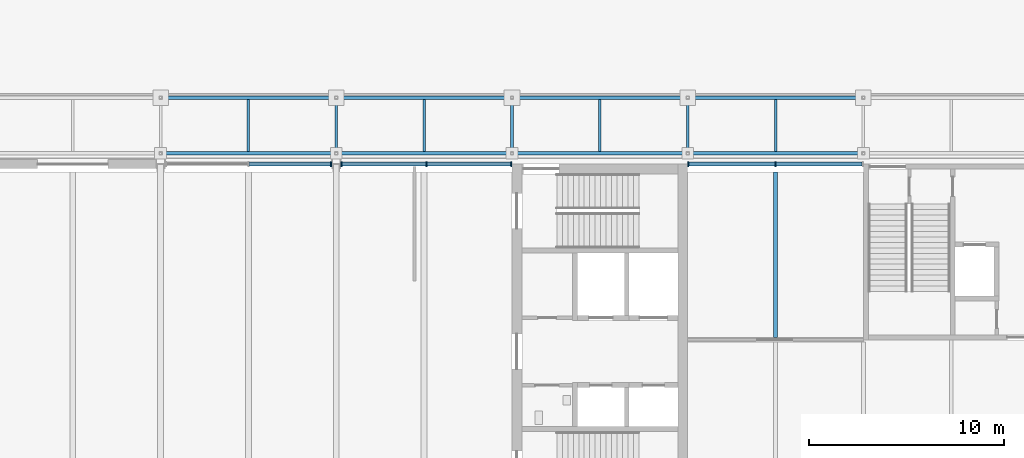
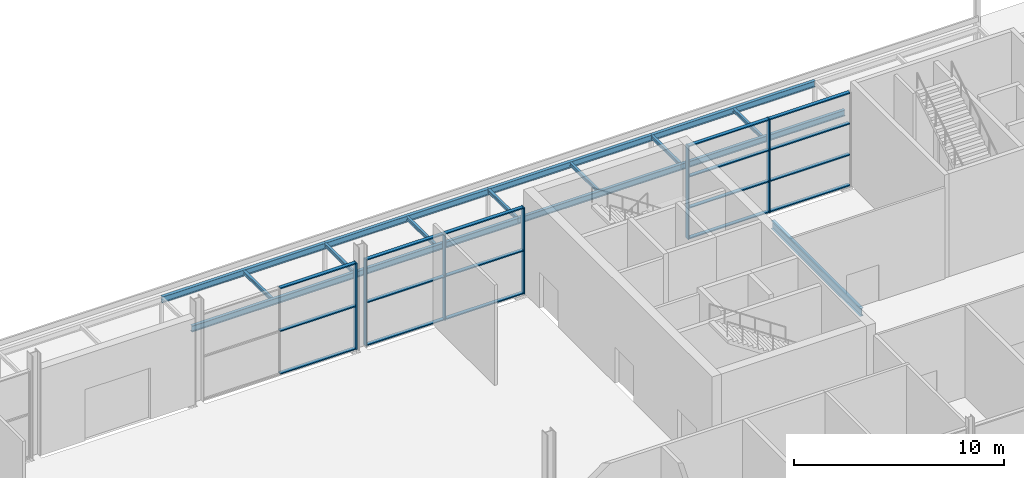
# One storey, part 43 of 97: 23 members, 16 beams, 3 elements without a shape of their own.
"""IFC4 building model written with IfcOpenShell, lengths in metres."""

from ifc_helpers import new_model, si_unit, direction, frame, origin, origin_2d, place, context, subcontext, project, spatial, rectangle, i_section, extrude, material, layer, layer_set, material_profile, profile_set, type_object, element, aggregate, save


model = new_model("IFC4")

# Units and contexts
model_context = context("Model", 3, precision=1e-05, world=origin(), true_north=direction((0.0, 1.0)))
body_context = subcontext(model_context, "Body", "Model", "MODEL_VIEW")
ifc_project = project(units=[si_unit("LENGTHUNIT", "METRE"), si_unit("AREAUNIT", "SQUARE_METRE"), si_unit("VOLUMEUNIT", "CUBIC_METRE"), si_unit("PLANEANGLEUNIT", "RADIAN"), si_unit("MASSUNIT", "GRAM", prefix="KILO")], contexts=[model_context])

# Site, building, storey
site_placement = place(None, origin())
site = spatial("IfcSite", under=ifc_project, at=site_placement, CompositionType="ELEMENT")
building_placement = place(site_placement, origin())
building = spatial("IfcBuilding", under=site, at=building_placement, Name="Corbel Yard City Hall", CompositionType="ELEMENT")
storey_placement = place(building_placement, origin())
storey = spatial("IfcBuildingStorey", under=building, at=storey_placement, Name="L00", CompositionType="ELEMENT", Elevation=0.0)

# Beams
ifc_material_1 = material(Name="Steel Grade 300 (300 MPa yield)", Category="steel")
ifc_material_profile_1 = material_profile(ifc_material_1, i_section(OverallWidth=0.133056640625, OverallDepth=0.201904296875, WebThickness=0.0048828125, FlangeThickness=0.007080078125, at=origin_2d()), Name="200UB22.3")
ifc_profile_set_1 = profile_set([ifc_material_profile_1], Name="Steel Grade 300 (300 MPa yield)")
beam_type_1 = type_object("IfcBeamType", Name="Awning Cross Beam 200UB22.3", PredefinedType="BEAM", material=ifc_profile_set_1)
for number, where, z_axis, x_axis, name in (
    (1, (31.5, 117.635498046875, 3.96484375), (0.0, 0.999922069115, -0.012484217941), (-1.0, 0.0, 0.0), "Awning Cross Beam 06"),
    (2, (36.0, 117.635498046875, 3.96484375), (0.0, 0.999922069115, -0.012484217941), (-1.0, 0.0, 0.0), "Awning Cross Beam 07"),
    (3, (40.5, 117.635498046875, 3.96484375), (0.0, 0.999922069115, -0.012484217941), (-1.0, 0.0, 0.0), "Awning Cross Beam 08"),
    (4, (45.0, 117.635498046875, 3.96484375), (0.0, 0.999922069115, -0.012484217941), (-1.0, 0.0, 0.0), "Awning Cross Beam 09"),
    (5, (49.5, 117.635498046875, 3.96484375), (0.0, 0.999922069115, -0.012484217941), (-1.0, 0.0, 0.0), "Awning Cross Beam 10"),
    (6, (54.0, 117.635498046875, 3.96484375), (0.0, 0.999922069115, -0.012484217941), (-1.0, 0.0, 0.0), "Awning Cross Beam 11"),
    (7, (58.5, 117.635498046875, 3.96484375), (0.0, 0.999922069115, -0.012484217941), (-1.0, 0.0, 0.0), "Awning Cross Beam 12"),
):
    element("IfcBeam", number, at=place(storey_placement, frame(where, z_axis=z_axis, x_axis=x_axis)), inside=storey, type_object=beam_type_1, Name=name, PredefinedType="BEAM", context=body_context, shape_type="SweptSolid", body=[
        extrude(i_section(OverallWidth=0.133056640625, OverallDepth=0.201904296875, WebThickness=0.0048828125, FlangeThickness=0.007080078125, at=origin_2d()), origin(), (0.0, 0.0, 1.0), 2.67919921875),
    ])
ifc_material_profile_2 = material_profile(ifc_material_1, i_section(OverallWidth=0.1708984375, OverallDepth=0.35205078125, WebThickness=0.0068359375, FlangeThickness=0.009765625, at=origin_2d()), Name="360UB44.7")
ifc_profile_set_2 = profile_set([ifc_material_profile_2], Name="Steel Grade 300 (300 MPa yield)")
beam_type_2 = type_object("IfcBeamType", Name="Awning Edge Beam 360UB44.7", PredefinedType="BEAM", material=ifc_profile_set_2)
for number, where, z_axis, x_axis, name in (
    (8, (27.0, 117.550048828125, 3.890869140625), (1.0, 0.0, 0.0), (0.0, 1.0, 0.0), "Awning Edge Beam B03"),
    (9, (36.0, 117.550048828125, 3.890869140625), (1.0, 0.0, 0.0), (0.0, 1.0, 0.0), "Awning Edge Beam B04"),
    (10, (45.0, 117.550048828125, 3.890869140625), (1.0, 0.0, 0.0), (0.0, 1.0, 0.0), "Awning Edge Beam B05"),
    (11, (54.0, 117.550048828125, 3.890869140625), (1.0, 0.0, 0.0), (0.0, 1.0, 0.0), "Awning Edge Beam B06"),
    (12, (27.0, 120.39990234375, 3.855224609375), (1.0, 0.0, 0.0), (0.0, 1.0, 0.0), "Awning Edge Beam F03"),
    (13, (36.0, 120.39990234375, 3.855224609375), (1.0, 0.0, 0.0), (0.0, 1.0, 0.0), "Awning Edge Beam F04"),
    (14, (45.0, 120.39990234375, 3.855224609375), (1.0, 0.0, 0.0), (0.0, 1.0, 0.0), "Awning Edge Beam F05"),
    (15, (54.0, 120.39990234375, 3.855224609375), (1.0, 0.0, 0.0), (0.0, 1.0, 0.0), "Awning Edge Beam F06"),
):
    element("IfcBeam", number, at=place(storey_placement, frame(where, z_axis=z_axis, x_axis=x_axis)), inside=storey, type_object=beam_type_2, Name=name, PredefinedType="BEAM", context=body_context, shape_type="SweptSolid", body=[
        extrude(i_section(OverallWidth=0.1708984375, OverallDepth=0.35205078125, WebThickness=0.0068359375, FlangeThickness=0.009765625, at=origin_2d()), origin(), (0.0, 0.0, 1.0), 9.0),
    ])

# Curtain wall, member
ifc_material_2 = material(Name="Aluminium extrusion", Category="aluminium")
ifc_layer = layer(ifc_material_2, 0.25)
ifc_layer_set = layer_set([ifc_layer], Name="Aluminium extrusion")
curtain_wall_type = type_object("IfcCurtainWallType", Name="CW4", PredefinedType="USERDEFINED", material=ifc_layer_set)
curtain_wall_1_placement = place(storey_placement, origin())
curtain_wall_1 = element("IfcCurtainWall", 16, at=curtain_wall_1_placement, inside=storey, type_object=curtain_wall_type, Name="Curtain wall CW4 L00", ObjectType="CURTAIN WALL", PredefinedType="USERDEFINED")
ifc_material_profile_3 = material_profile(ifc_material_2, rectangle(XDim=0.25, YDim=0.06494140625, at=origin_2d()), Name="250x65")
ifc_profile_set_3 = profile_set([ifc_material_profile_3], Name="Aluminium extrusion")
member_type_1 = type_object("IfcMemberType", Name="ML4", PredefinedType="MULLION", material=ifc_profile_set_3)
member_1_placement = place(storey_placement, frame((35.7275390625, 117.0, 0.0), z_axis=(0.0, 0.0, 1.0), x_axis=(0.0, 1.0, 0.0)))
member_1 = element("IfcMember", 17, at=member_1_placement, type_object=member_type_1, Name="CW4 mullion 3", PredefinedType="MULLION", context=body_context, shape_type="SweptSolid", body=[
    extrude(rectangle(XDim=0.25, YDim=0.06494140625, at=origin_2d()), origin(), (0.0, 0.0, 1.0), 5.0400390625),
])

# Curtain wall, members
curtain_wall_2_placement = place(storey_placement, origin())
curtain_wall_2 = element("IfcCurtainWall", 18, at=curtain_wall_2_placement, inside=storey, type_object=curtain_wall_type, Name="Curtain wall CW4 L00", ObjectType="CURTAIN WALL", PredefinedType="USERDEFINED")
member_2_placement = place(storey_placement, frame((36.2724609375, 117.0, 0.0), z_axis=(0.0, 0.0, 1.0), x_axis=(0.0, 1.0, 0.0)))
member_2 = element("IfcMember", 19, at=member_2_placement, type_object=member_type_1, Name="CW4 mullion 1", PredefinedType="MULLION", context=body_context, shape_type="SweptSolid", body=[
    extrude(rectangle(XDim=0.25, YDim=0.06494140625, at=origin_2d()), origin(), (0.0, 0.0, 1.0), 5.0400390625),
])
member_3_placement = place(storey_placement, frame((40.6201171875, 117.0, 0.0), z_axis=(0.0, 0.0, 1.0), x_axis=(0.0, 1.0, 0.0)))
member_3 = element("IfcMember", 20, at=member_3_placement, type_object=member_type_1, Name="CW4 mullion 2", PredefinedType="MULLION", context=body_context, shape_type="SweptSolid", body=[
    extrude(rectangle(XDim=0.25, YDim=0.06494140625, at=origin_2d()), origin(), (0.0, 0.0, 1.0), 5.0400390625),
])
member_4_placement = place(storey_placement, frame((44.967529296875, 117.0, 0.0), z_axis=(0.0, 0.0, 1.0), x_axis=(0.0, 1.0, 0.0)))
member_4 = element("IfcMember", 21, at=member_4_placement, type_object=member_type_1, Name="CW4 mullion 3", PredefinedType="MULLION", context=body_context, shape_type="SweptSolid", body=[
    extrude(rectangle(XDim=0.25, YDim=0.06494140625, at=origin_2d()), origin(), (0.0, 0.0, 1.0), 5.0400390625),
])

curtain_wall_3_placement = place(storey_placement, origin())
curtain_wall_3 = element("IfcCurtainWall", 22, at=curtain_wall_3_placement, inside=storey, type_object=curtain_wall_type, Name="Curtain wall CW4 L00", ObjectType="CURTAIN WALL", PredefinedType="USERDEFINED")
member_5_placement = place(storey_placement, frame((54.032470703125, 117.0, 0.0), z_axis=(0.0, 0.0, 1.0), x_axis=(0.0, 1.0, 0.0)))
member_5 = element("IfcMember", 23, at=member_5_placement, type_object=member_type_1, Name="CW4 mullion 1", PredefinedType="MULLION", context=body_context, shape_type="SweptSolid", body=[
    extrude(rectangle(XDim=0.25, YDim=0.06494140625, at=origin_2d()), origin(), (0.0, 0.0, 1.0), 5.444091796875),
])
member_6_placement = place(storey_placement, frame((58.5, 117.0, 0.0), z_axis=(0.0, 0.0, 1.0), x_axis=(0.0, 1.0, 0.0)))
member_6 = element("IfcMember", 24, at=member_6_placement, type_object=member_type_1, Name="CW4 mullion 2", PredefinedType="MULLION", context=body_context, shape_type="SweptSolid", body=[
    extrude(rectangle(XDim=0.25, YDim=0.06494140625, at=origin_2d()), origin(), (0.0, 0.0, 1.0), 5.444091796875),
])

# Beam
ifc_material_profile_4 = material_profile(ifc_material_1, i_section(OverallWidth=0.19091796875, OverallDepth=0.4599609375, WebThickness=0.010009765625, FlangeThickness=0.01611328125, at=origin_2d()), Name="460UB82.1")
ifc_profile_set_4 = profile_set([ifc_material_profile_4], Name="Steel Grade 300 (300 MPa yield)")
beam_type_3 = type_object("IfcBeamType", Name="Secondary beam 460UB82.1", PredefinedType="JOIST", material=ifc_profile_set_4)
beam_placement = place(storey_placement, frame((58.5, 108.114501953125, -0.47998046875), z_axis=(0.0, 1.0, 0.0), x_axis=(-1.0, 0.0, 0.0)))
element("IfcBeam", 25, at=beam_placement, inside=storey, type_object=beam_type_3, Name="Secondary beam 460UB82.1 SB1 L00deck", PredefinedType="JOIST", context=body_context, shape_type="SweptSolid", body=[
    extrude(i_section(OverallWidth=0.19091796875, OverallDepth=0.4599609375, WebThickness=0.010009765625, FlangeThickness=0.01611328125, at=origin_2d()), origin(), (0.0, 0.0, 1.0), 8.485595703125),
])

# Member
ifc_material_profile_5 = material_profile(ifc_material_2, rectangle(XDim=0.199951171875, YDim=0.06494140625, at=origin_2d()), Name="200x65")
ifc_profile_set_5 = profile_set([ifc_material_profile_5], Name="Aluminium extrusion")
member_type_2 = type_object("IfcMemberType", Name="TR4", PredefinedType="USERDEFINED", material=ifc_profile_set_5)
member_7_placement = place(storey_placement, frame((31.532470703125, 117.0, 0.032470703125), z_axis=(1.0, 0.0, 0.0), x_axis=(0.0, 1.0, 0.0)))
member_7 = element("IfcMember", 26, at=member_7_placement, type_object=member_type_2, Name="CW4 transom 2.1", ObjectType="TRANSOM", PredefinedType="USERDEFINED", context=body_context, shape_type="SweptSolid", body=[
    extrude(rectangle(XDim=0.199951171875, YDim=0.06494140625, at=origin_2d()), origin(), (0.0, 0.0, 1.0), 4.16259765625),
])

member_8_placement = place(storey_placement, frame((31.532470703125, 117.0, 2.52001953125), z_axis=(1.0, 0.0, 0.0), x_axis=(0.0, 1.0, 0.0)))
member_8 = element("IfcMember", 27, at=member_8_placement, type_object=member_type_2, Name="CW4 transom 2.2", ObjectType="TRANSOM", PredefinedType="USERDEFINED", context=body_context, shape_type="SweptSolid", body=[
    extrude(rectangle(XDim=0.199951171875, YDim=0.06494140625, at=origin_2d()), origin(), (0.0, 0.0, 1.0), 4.16259765625),
])

member_9_placement = place(storey_placement, frame((31.532470703125, 117.0, 5.007568359375), z_axis=(1.0, 0.0, 0.0), x_axis=(0.0, 1.0, 0.0)))
member_9 = element("IfcMember", 28, at=member_9_placement, type_object=member_type_2, Name="CW4 transom 2.3", ObjectType="TRANSOM", PredefinedType="USERDEFINED", context=body_context, shape_type="SweptSolid", body=[
    extrude(rectangle(XDim=0.199951171875, YDim=0.06494140625, at=origin_2d()), origin(), (0.0, 0.0, 1.0), 4.16259765625),
])

aggregate(curtain_wall_1, [member_1, member_7, member_8, member_9])

member_10_placement = place(storey_placement, frame((36.304931640625, 117.0, 0.032470703125), z_axis=(1.0, 0.0, 0.0), x_axis=(0.0, 1.0, 0.0)))
member_10 = element("IfcMember", 29, at=member_10_placement, type_object=member_type_2, Name="CW4 transom 1.1", ObjectType="TRANSOM", PredefinedType="USERDEFINED", context=body_context, shape_type="SweptSolid", body=[
    extrude(rectangle(XDim=0.199951171875, YDim=0.06494140625, at=origin_2d()), origin(), (0.0, 0.0, 1.0), 4.282470703125),
])

member_11_placement = place(storey_placement, frame((36.304931640625, 117.0, 2.52001953125), z_axis=(1.0, 0.0, 0.0), x_axis=(0.0, 1.0, 0.0)))
member_11 = element("IfcMember", 30, at=member_11_placement, type_object=member_type_2, Name="CW4 transom 1.2", ObjectType="TRANSOM", PredefinedType="USERDEFINED", context=body_context, shape_type="SweptSolid", body=[
    extrude(rectangle(XDim=0.199951171875, YDim=0.06494140625, at=origin_2d()), origin(), (0.0, 0.0, 1.0), 4.282470703125),
])

member_12_placement = place(storey_placement, frame((36.304931640625, 117.0, 5.007568359375), z_axis=(1.0, 0.0, 0.0), x_axis=(0.0, 1.0, 0.0)))
member_12 = element("IfcMember", 31, at=member_12_placement, type_object=member_type_2, Name="CW4 transom 1.3", ObjectType="TRANSOM", PredefinedType="USERDEFINED", context=body_context, shape_type="SweptSolid", body=[
    extrude(rectangle(XDim=0.199951171875, YDim=0.06494140625, at=origin_2d()), origin(), (0.0, 0.0, 1.0), 4.282470703125),
])

member_13_placement = place(storey_placement, frame((40.652587890625, 117.0, 0.032470703125), z_axis=(1.0, 0.0, 0.0), x_axis=(0.0, 1.0, 0.0)))
member_13 = element("IfcMember", 32, at=member_13_placement, type_object=member_type_2, Name="CW4 transom 2.1", ObjectType="TRANSOM", PredefinedType="USERDEFINED", context=body_context, shape_type="SweptSolid", body=[
    extrude(rectangle(XDim=0.199951171875, YDim=0.06494140625, at=origin_2d()), origin(), (0.0, 0.0, 1.0), 4.282470703125),
])

member_14_placement = place(storey_placement, frame((40.652587890625, 117.0, 2.52001953125), z_axis=(1.0, 0.0, 0.0), x_axis=(0.0, 1.0, 0.0)))
member_14 = element("IfcMember", 33, at=member_14_placement, type_object=member_type_2, Name="CW4 transom 2.2", ObjectType="TRANSOM", PredefinedType="USERDEFINED", context=body_context, shape_type="SweptSolid", body=[
    extrude(rectangle(XDim=0.199951171875, YDim=0.06494140625, at=origin_2d()), origin(), (0.0, 0.0, 1.0), 4.282470703125),
])

member_15_placement = place(storey_placement, frame((40.652587890625, 117.0, 5.007568359375), z_axis=(1.0, 0.0, 0.0), x_axis=(0.0, 1.0, 0.0)))
member_15 = element("IfcMember", 34, at=member_15_placement, type_object=member_type_2, Name="CW4 transom 2.3", ObjectType="TRANSOM", PredefinedType="USERDEFINED", context=body_context, shape_type="SweptSolid", body=[
    extrude(rectangle(XDim=0.199951171875, YDim=0.06494140625, at=origin_2d()), origin(), (0.0, 0.0, 1.0), 4.282470703125),
])

aggregate(curtain_wall_2, [member_2, member_3, member_4, member_10, member_11, member_12, member_13, member_14, member_15])

member_16_placement = place(storey_placement, frame((54.06494140625, 117.0, 0.032470703125), z_axis=(1.0, 0.0, 0.0), x_axis=(0.0, 1.0, 0.0)))
member_16 = element("IfcMember", 35, at=member_16_placement, type_object=member_type_2, Name="CW4 transom 1.1", ObjectType="TRANSOM", PredefinedType="USERDEFINED", context=body_context, shape_type="SweptSolid", body=[
    extrude(rectangle(XDim=0.199951171875, YDim=0.06494140625, at=origin_2d()), origin(), (0.0, 0.0, 1.0), 4.402587890625),
])

member_17_placement = place(storey_placement, frame((54.06494140625, 117.0, 1.814697265625), z_axis=(1.0, 0.0, 0.0), x_axis=(0.0, 1.0, 0.0)))
member_17 = element("IfcMember", 36, at=member_17_placement, type_object=member_type_2, Name="CW4 transom 1.2", ObjectType="TRANSOM", PredefinedType="USERDEFINED", context=body_context, shape_type="SweptSolid", body=[
    extrude(rectangle(XDim=0.199951171875, YDim=0.06494140625, at=origin_2d()), origin(), (0.0, 0.0, 1.0), 4.402587890625),
])

member_18_placement = place(storey_placement, frame((54.06494140625, 117.0, 3.62939453125), z_axis=(1.0, 0.0, 0.0), x_axis=(0.0, 1.0, 0.0)))
member_18 = element("IfcMember", 37, at=member_18_placement, type_object=member_type_2, Name="CW4 transom 1.3", ObjectType="TRANSOM", PredefinedType="USERDEFINED", context=body_context, shape_type="SweptSolid", body=[
    extrude(rectangle(XDim=0.199951171875, YDim=0.06494140625, at=origin_2d()), origin(), (0.0, 0.0, 1.0), 4.402587890625),
])

member_19_placement = place(storey_placement, frame((54.06494140625, 117.0, 5.41162109375), z_axis=(1.0, 0.0, 0.0), x_axis=(0.0, 1.0, 0.0)))
member_19 = element("IfcMember", 38, at=member_19_placement, type_object=member_type_2, Name="CW4 transom 1.4", ObjectType="TRANSOM", PredefinedType="USERDEFINED", context=body_context, shape_type="SweptSolid", body=[
    extrude(rectangle(XDim=0.199951171875, YDim=0.06494140625, at=origin_2d()), origin(), (0.0, 0.0, 1.0), 4.402587890625),
])

member_20_placement = place(storey_placement, frame((58.532470703125, 117.0, 0.032470703125), z_axis=(1.0, 0.0, 0.0), x_axis=(0.0, 1.0, 0.0)))
member_20 = element("IfcMember", 39, at=member_20_placement, type_object=member_type_2, Name="CW4 transom 2.1", ObjectType="TRANSOM", PredefinedType="USERDEFINED", context=body_context, shape_type="SweptSolid", body=[
    extrude(rectangle(XDim=0.199951171875, YDim=0.06494140625, at=origin_2d()), origin(), (0.0, 0.0, 1.0), 4.402587890625),
])

member_21_placement = place(storey_placement, frame((58.532470703125, 117.0, 1.814697265625), z_axis=(1.0, 0.0, 0.0), x_axis=(0.0, 1.0, 0.0)))
member_21 = element("IfcMember", 40, at=member_21_placement, type_object=member_type_2, Name="CW4 transom 2.2", ObjectType="TRANSOM", PredefinedType="USERDEFINED", context=body_context, shape_type="SweptSolid", body=[
    extrude(rectangle(XDim=0.199951171875, YDim=0.06494140625, at=origin_2d()), origin(), (0.0, 0.0, 1.0), 4.402587890625),
])

member_22_placement = place(storey_placement, frame((58.532470703125, 117.0, 3.62939453125), z_axis=(1.0, 0.0, 0.0), x_axis=(0.0, 1.0, 0.0)))
member_22 = element("IfcMember", 41, at=member_22_placement, type_object=member_type_2, Name="CW4 transom 2.3", ObjectType="TRANSOM", PredefinedType="USERDEFINED", context=body_context, shape_type="SweptSolid", body=[
    extrude(rectangle(XDim=0.199951171875, YDim=0.06494140625, at=origin_2d()), origin(), (0.0, 0.0, 1.0), 4.402587890625),
])

member_23_placement = place(storey_placement, frame((58.532470703125, 117.0, 5.41162109375), z_axis=(1.0, 0.0, 0.0), x_axis=(0.0, 1.0, 0.0)))
member_23 = element("IfcMember", 42, at=member_23_placement, type_object=member_type_2, Name="CW4 transom 2.4", ObjectType="TRANSOM", PredefinedType="USERDEFINED", context=body_context, shape_type="SweptSolid", body=[
    extrude(rectangle(XDim=0.199951171875, YDim=0.06494140625, at=origin_2d()), origin(), (0.0, 0.0, 1.0), 4.402587890625),
])

aggregate(curtain_wall_3, [member_5, member_6, member_16, member_17, member_18, member_19, member_20, member_21, member_22, member_23])

save(model, "model.ifc")
